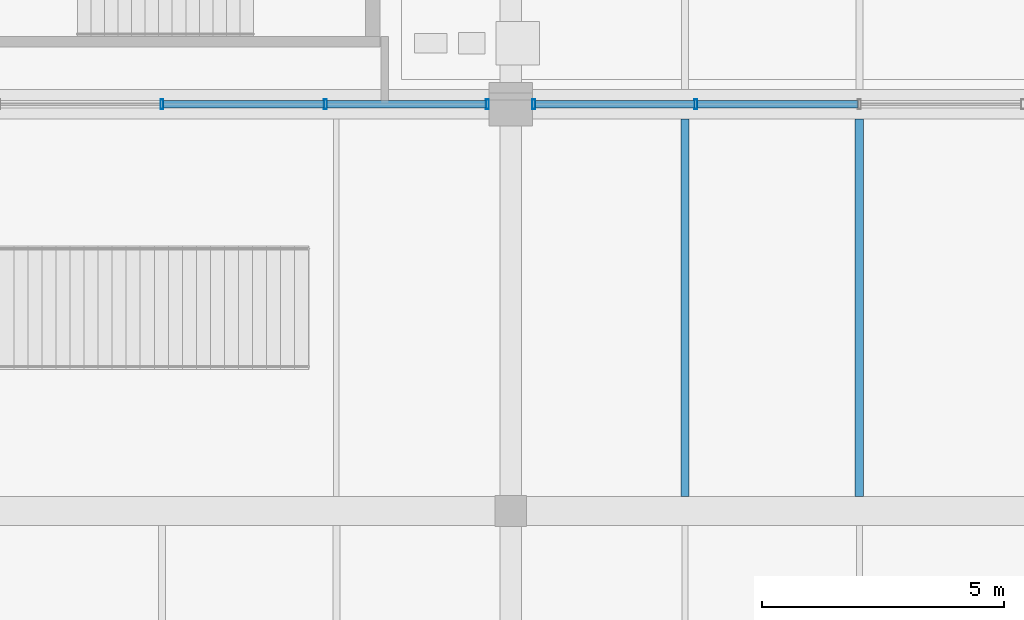
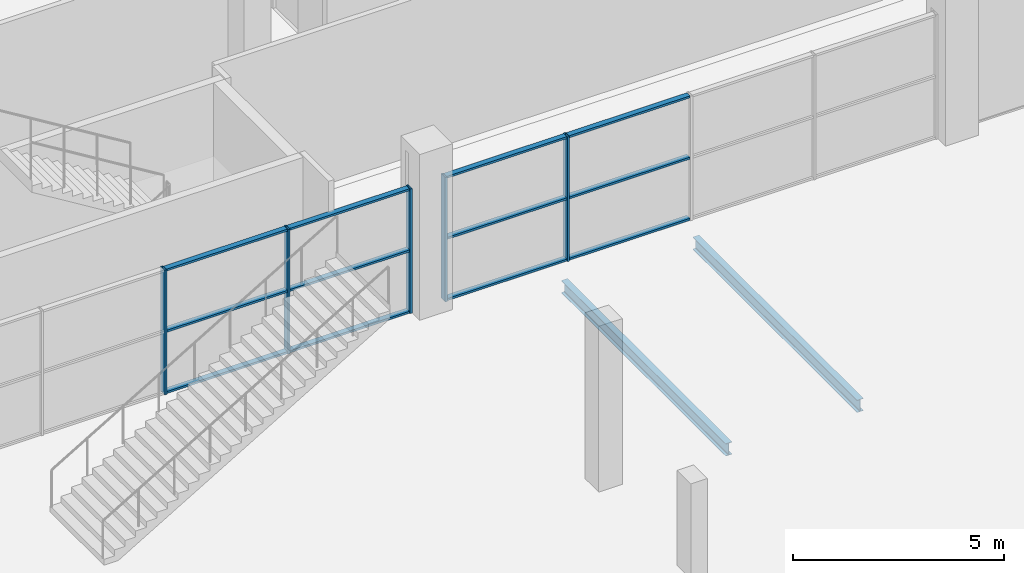
# One storey, part 42 of 130: 17 members, 2 beams, 2 elements without a shape of their own.
"""IFC4 building model written with IfcOpenShell, lengths in metres."""

from ifc_helpers import new_model, si_unit, direction, frame, origin, origin_2d, place, context, subcontext, project, spatial, hollow_rectangle, i_section, extrude, material, material_profile, profile_set, type_object, element, aggregate, save


model = new_model("IFC4")

# Units and contexts
model_context = context("Model", 3, precision=1e-05, world=origin(), true_north=direction((0.0, 1.0)))
body_context = subcontext(model_context, "Body", "Model", "MODEL_VIEW")
ifc_project = project(units=[si_unit("LENGTHUNIT", "METRE"), si_unit("AREAUNIT", "SQUARE_METRE"), si_unit("VOLUMEUNIT", "CUBIC_METRE"), si_unit("PLANEANGLEUNIT", "RADIAN"), si_unit("MASSUNIT", "GRAM", prefix="KILO"), si_unit("THERMODYNAMICTEMPERATUREUNIT", "KELVIN")], contexts=[model_context])

# Site, building, storey
site_placement = place(None, origin())
site = spatial("IfcSite", under=ifc_project, at=site_placement, CompositionType="ELEMENT")
building_placement = place(site_placement, origin())
building = spatial("IfcBuilding", under=site, at=building_placement, Name="Nduvali Passage Aquatics Centre", CompositionType="ELEMENT")
storey_placement = place(building_placement, origin())
storey = spatial("IfcBuildingStorey", under=building, at=storey_placement, Name="L00", CompositionType="ELEMENT", Elevation=0.0)

# Curtain wall, members
ifc_material_1 = material(Name="Aluminium EN AW-6063 T6", Category="aluminium")
curtain_wall_type = type_object("IfcCurtainWallType", Name="ENV-CW-HALL", PredefinedType="NOTDEFINED", material=ifc_material_1)
curtain_wall_1_placement = place(storey_placement, origin())
curtain_wall_1 = element("IfcCurtainWall", 1, at=curtain_wall_1_placement, inside=storey, type_object=curtain_wall_type, Name="L00 North Pool Hall Hydro-Pool Screen 057", PredefinedType="NOTDEFINED")
ifc_material_profile_1 = material_profile(ifc_material_1, hollow_rectangle(XDim=0.06005859375, YDim=0.199951171875, WallThickness=0.00390625, at=origin_2d()), Name="ALU MULLION 60x200x4")
ifc_profile_set_1 = profile_set([ifc_material_profile_1], Name="Aluminium EN AW-6063 T6")
member_type_1 = type_object("IfcMemberType", Name="ENV-MEM-MUL80", PredefinedType="MULLION", material=ifc_profile_set_1)
member_1_placement = place(storey_placement, frame((46.800048828125, 92.39990234375, 0.0), z_axis=(0.0, 0.0, 1.0), x_axis=(1.0, 0.0, 0.0)))
member_1 = element("IfcMember", 2, at=member_1_placement, type_object=member_type_1, Name="North Pool Hall Hydro-Pool Screen Mullion 3", PredefinedType="MULLION", context=body_context, shape_type="SweptSolid", body=[
    extrude(hollow_rectangle(XDim=0.06005859375, YDim=0.199951171875, WallThickness=0.00390625, at=origin_2d()), origin(), (0.0, 0.0, 1.0), 3.605712890625),
])
member_2_placement = place(storey_placement, frame((50.175048828125, 92.39990234375, 0.0), z_axis=(0.0, 0.0, 1.0), x_axis=(1.0, 0.0, 0.0)))
member_2 = element("IfcMember", 3, at=member_2_placement, type_object=member_type_1, Name="North Pool Hall Hydro-Pool Screen Mullion 4", PredefinedType="MULLION", context=body_context, shape_type="SweptSolid", body=[
    extrude(hollow_rectangle(XDim=0.06005859375, YDim=0.199951171875, WallThickness=0.00390625, at=origin_2d()), origin(), (0.0, 0.0, 1.0), 3.605712890625),
])
member_3_placement = place(storey_placement, frame((53.52001953125, 92.39990234375, 0.0), z_axis=(0.0, 0.0, 1.0), x_axis=(1.0, 0.0, 0.0)))
member_3 = element("IfcMember", 4, at=member_3_placement, type_object=member_type_1, Name="North Pool Hall Hydro-Pool Screen Mullion 5", PredefinedType="MULLION", context=body_context, shape_type="SweptSolid", body=[
    extrude(hollow_rectangle(XDim=0.06005859375, YDim=0.199951171875, WallThickness=0.00390625, at=origin_2d()), origin(), (0.0, 0.0, 1.0), 3.605712890625),
])

curtain_wall_2_placement = place(storey_placement, origin())
curtain_wall_2 = element("IfcCurtainWall", 5, at=curtain_wall_2_placement, inside=storey, type_object=curtain_wall_type, Name="L00 North Pool Hall Hydro-Pool Screen 060", PredefinedType="NOTDEFINED")
member_4_placement = place(storey_placement, frame((54.47998046875, 92.39990234375, 0.0), z_axis=(0.0, 0.0, 1.0), x_axis=(1.0, 0.0, 0.0)))
member_4 = element("IfcMember", 6, at=member_4_placement, type_object=member_type_1, Name="North Pool Hall Hydro-Pool Screen Mullion 1", PredefinedType="MULLION", context=body_context, shape_type="SweptSolid", body=[
    extrude(hollow_rectangle(XDim=0.06005859375, YDim=0.199951171875, WallThickness=0.00390625, at=origin_2d()), origin(), (0.0, 0.0, 1.0), 3.605712890625),
])
member_5_placement = place(storey_placement, frame((57.824951171875, 92.39990234375, 0.0), z_axis=(0.0, 0.0, 1.0), x_axis=(1.0, 0.0, 0.0)))
member_5 = element("IfcMember", 7, at=member_5_placement, type_object=member_type_1, Name="North Pool Hall Hydro-Pool Screen Mullion 2", PredefinedType="MULLION", context=body_context, shape_type="SweptSolid", body=[
    extrude(hollow_rectangle(XDim=0.06005859375, YDim=0.199951171875, WallThickness=0.00390625, at=origin_2d()), origin(), (0.0, 0.0, 1.0), 3.605712890625),
])

# Member
ifc_material_profile_2 = material_profile(ifc_material_1, hollow_rectangle(XDim=0.14990234375, YDim=0.06005859375, WallThickness=0.00390625, at=origin_2d()), Name="ALU TRANSOM 150x60x4")
ifc_profile_set_2 = profile_set([ifc_material_profile_2], Name="Aluminium EN AW-6063 T6")
member_type_2 = type_object("IfcMemberType", Name="ENV-MEM-TRN80", PredefinedType="USERDEFINED", material=ifc_profile_set_2)
member_6_placement = place(storey_placement, frame((46.830078125, 92.39990234375, 0.030029296875), z_axis=(1.0, 0.0, 0.0), x_axis=(0.0, 1.0, 0.0)))
member_6 = element("IfcMember", 8, at=member_6_placement, type_object=member_type_2, Name="North Pool Hall Hydro-Pool Screen Transom B3-R0", ObjectType="TRANSOM", PredefinedType="USERDEFINED", context=body_context, shape_type="SweptSolid", body=[
    extrude(hollow_rectangle(XDim=0.14990234375, YDim=0.06005859375, WallThickness=0.00390625, at=origin_2d()), origin(), (0.0, 0.0, 1.0), 3.31494140625),
])

member_7_placement = place(storey_placement, frame((46.830078125, 92.39990234375, 1.802734375), z_axis=(1.0, 0.0, 0.0), x_axis=(0.0, 1.0, 0.0)))
member_7 = element("IfcMember", 9, at=member_7_placement, type_object=member_type_2, Name="North Pool Hall Hydro-Pool Screen Transom B3-R1", ObjectType="TRANSOM", PredefinedType="USERDEFINED", context=body_context, shape_type="SweptSolid", body=[
    extrude(hollow_rectangle(XDim=0.14990234375, YDim=0.06005859375, WallThickness=0.00390625, at=origin_2d()), origin(), (0.0, 0.0, 1.0), 3.31494140625),
])

member_8_placement = place(storey_placement, frame((46.830078125, 92.39990234375, 3.57568359375), z_axis=(1.0, 0.0, 0.0), x_axis=(0.0, 1.0, 0.0)))
member_8 = element("IfcMember", 10, at=member_8_placement, type_object=member_type_2, Name="North Pool Hall Hydro-Pool Screen Transom B3-R2", ObjectType="TRANSOM", PredefinedType="USERDEFINED", context=body_context, shape_type="SweptSolid", body=[
    extrude(hollow_rectangle(XDim=0.14990234375, YDim=0.06005859375, WallThickness=0.00390625, at=origin_2d()), origin(), (0.0, 0.0, 1.0), 3.31494140625),
])

member_9_placement = place(storey_placement, frame((50.205078125, 92.39990234375, 0.030029296875), z_axis=(1.0, 0.0, 0.0), x_axis=(0.0, 1.0, 0.0)))
member_9 = element("IfcMember", 11, at=member_9_placement, type_object=member_type_2, Name="North Pool Hall Hydro-Pool Screen Transom B4-R0", ObjectType="TRANSOM", PredefinedType="USERDEFINED", context=body_context, shape_type="SweptSolid", body=[
    extrude(hollow_rectangle(XDim=0.14990234375, YDim=0.06005859375, WallThickness=0.00390625, at=origin_2d()), origin(), (0.0, 0.0, 1.0), 3.284912109375),
])

member_10_placement = place(storey_placement, frame((50.205078125, 92.39990234375, 1.802734375), z_axis=(1.0, 0.0, 0.0), x_axis=(0.0, 1.0, 0.0)))
member_10 = element("IfcMember", 12, at=member_10_placement, type_object=member_type_2, Name="North Pool Hall Hydro-Pool Screen Transom B4-R1", ObjectType="TRANSOM", PredefinedType="USERDEFINED", context=body_context, shape_type="SweptSolid", body=[
    extrude(hollow_rectangle(XDim=0.14990234375, YDim=0.06005859375, WallThickness=0.00390625, at=origin_2d()), origin(), (0.0, 0.0, 1.0), 3.284912109375),
])

member_11_placement = place(storey_placement, frame((50.205078125, 92.39990234375, 3.57568359375), z_axis=(1.0, 0.0, 0.0), x_axis=(0.0, 1.0, 0.0)))
member_11 = element("IfcMember", 13, at=member_11_placement, type_object=member_type_2, Name="North Pool Hall Hydro-Pool Screen Transom B4-R2", ObjectType="TRANSOM", PredefinedType="USERDEFINED", context=body_context, shape_type="SweptSolid", body=[
    extrude(hollow_rectangle(XDim=0.14990234375, YDim=0.06005859375, WallThickness=0.00390625, at=origin_2d()), origin(), (0.0, 0.0, 1.0), 3.284912109375),
])

aggregate(curtain_wall_1, [member_1, member_2, member_3, member_6, member_7, member_8, member_9, member_10, member_11])

member_12_placement = place(storey_placement, frame((54.510009765625, 92.39990234375, 0.030029296875), z_axis=(1.0, 0.0, 0.0), x_axis=(0.0, 1.0, 0.0)))
member_12 = element("IfcMember", 14, at=member_12_placement, type_object=member_type_2, Name="North Pool Hall Hydro-Pool Screen Transom B1-R0", ObjectType="TRANSOM", PredefinedType="USERDEFINED", context=body_context, shape_type="SweptSolid", body=[
    extrude(hollow_rectangle(XDim=0.14990234375, YDim=0.06005859375, WallThickness=0.00390625, at=origin_2d()), origin(), (0.0, 0.0, 1.0), 3.284912109375),
])

member_13_placement = place(storey_placement, frame((54.510009765625, 92.39990234375, 1.802734375), z_axis=(1.0, 0.0, 0.0), x_axis=(0.0, 1.0, 0.0)))
member_13 = element("IfcMember", 15, at=member_13_placement, type_object=member_type_2, Name="North Pool Hall Hydro-Pool Screen Transom B1-R1", ObjectType="TRANSOM", PredefinedType="USERDEFINED", context=body_context, shape_type="SweptSolid", body=[
    extrude(hollow_rectangle(XDim=0.14990234375, YDim=0.06005859375, WallThickness=0.00390625, at=origin_2d()), origin(), (0.0, 0.0, 1.0), 3.284912109375),
])

member_14_placement = place(storey_placement, frame((54.510009765625, 92.39990234375, 3.57568359375), z_axis=(1.0, 0.0, 0.0), x_axis=(0.0, 1.0, 0.0)))
member_14 = element("IfcMember", 16, at=member_14_placement, type_object=member_type_2, Name="North Pool Hall Hydro-Pool Screen Transom B1-R2", ObjectType="TRANSOM", PredefinedType="USERDEFINED", context=body_context, shape_type="SweptSolid", body=[
    extrude(hollow_rectangle(XDim=0.14990234375, YDim=0.06005859375, WallThickness=0.00390625, at=origin_2d()), origin(), (0.0, 0.0, 1.0), 3.284912109375),
])

member_15_placement = place(storey_placement, frame((57.85498046875, 92.39990234375, 0.030029296875), z_axis=(1.0, 0.0, 0.0), x_axis=(0.0, 1.0, 0.0)))
member_15 = element("IfcMember", 17, at=member_15_placement, type_object=member_type_2, Name="North Pool Hall Hydro-Pool Screen Transom B2-R0", ObjectType="TRANSOM", PredefinedType="USERDEFINED", context=body_context, shape_type="SweptSolid", body=[
    extrude(hollow_rectangle(XDim=0.14990234375, YDim=0.06005859375, WallThickness=0.00390625, at=origin_2d()), origin(), (0.0, 0.0, 1.0), 3.31494140625),
])

member_16_placement = place(storey_placement, frame((57.85498046875, 92.39990234375, 1.802734375), z_axis=(1.0, 0.0, 0.0), x_axis=(0.0, 1.0, 0.0)))
member_16 = element("IfcMember", 18, at=member_16_placement, type_object=member_type_2, Name="North Pool Hall Hydro-Pool Screen Transom B2-R1", ObjectType="TRANSOM", PredefinedType="USERDEFINED", context=body_context, shape_type="SweptSolid", body=[
    extrude(hollow_rectangle(XDim=0.14990234375, YDim=0.06005859375, WallThickness=0.00390625, at=origin_2d()), origin(), (0.0, 0.0, 1.0), 3.31494140625),
])

member_17_placement = place(storey_placement, frame((57.85498046875, 92.39990234375, 3.57568359375), z_axis=(1.0, 0.0, 0.0), x_axis=(0.0, 1.0, 0.0)))
member_17 = element("IfcMember", 19, at=member_17_placement, type_object=member_type_2, Name="North Pool Hall Hydro-Pool Screen Transom B2-R2", ObjectType="TRANSOM", PredefinedType="USERDEFINED", context=body_context, shape_type="SweptSolid", body=[
    extrude(hollow_rectangle(XDim=0.14990234375, YDim=0.06005859375, WallThickness=0.00390625, at=origin_2d()), origin(), (0.0, 0.0, 1.0), 3.31494140625),
])

aggregate(curtain_wall_2, [member_4, member_5, member_12, member_13, member_14, member_15, member_16, member_17])

# Beams
ifc_material_2 = material(Name="Steel S355", Category="steel")
ifc_material_profile_3 = material_profile(ifc_material_2, i_section(OverallWidth=0.169921875, OverallDepth=0.360107421875, WebThickness=0.008056640625, FlangeThickness=0.0126953125, FilletRadius=0.01806640625, at=origin_2d()), Name="IPE 360")
ifc_profile_set_3 = profile_set([ifc_material_profile_3], Name="Steel S355")
beam_type = type_object("IfcBeamType", Name="STR-JST-IPE360", PredefinedType="JOIST", material=ifc_profile_set_3)
for number, where, z_axis, x_axis, name in (
    (20, (57.60009765625, 84.300048828125, -0.50390625), (0.0, 1.0, 0.0), (-1.0, 0.0, 0.0), "L00 Secondary Joist J6-0381"),
    (21, (61.199951171875, 84.300048828125, -0.50390625), (0.0, 1.0, 0.0), (-1.0, 0.0, 0.0), "L00 Secondary Joist J6-0382"),
):
    element("IfcBeam", number, at=place(storey_placement, frame(where, z_axis=z_axis, x_axis=x_axis)), inside=storey, type_object=beam_type, Name=name, PredefinedType="JOIST", context=body_context, shape_type="SweptSolid", body=[
        extrude(i_section(OverallWidth=0.169921875, OverallDepth=0.360107421875, WebThickness=0.008056640625, FlangeThickness=0.0126953125, FilletRadius=0.01806640625, at=origin_2d()), origin(), (0.0, 0.0, 1.0), 7.800048828125),
    ])

save(model, "model.ifc")
